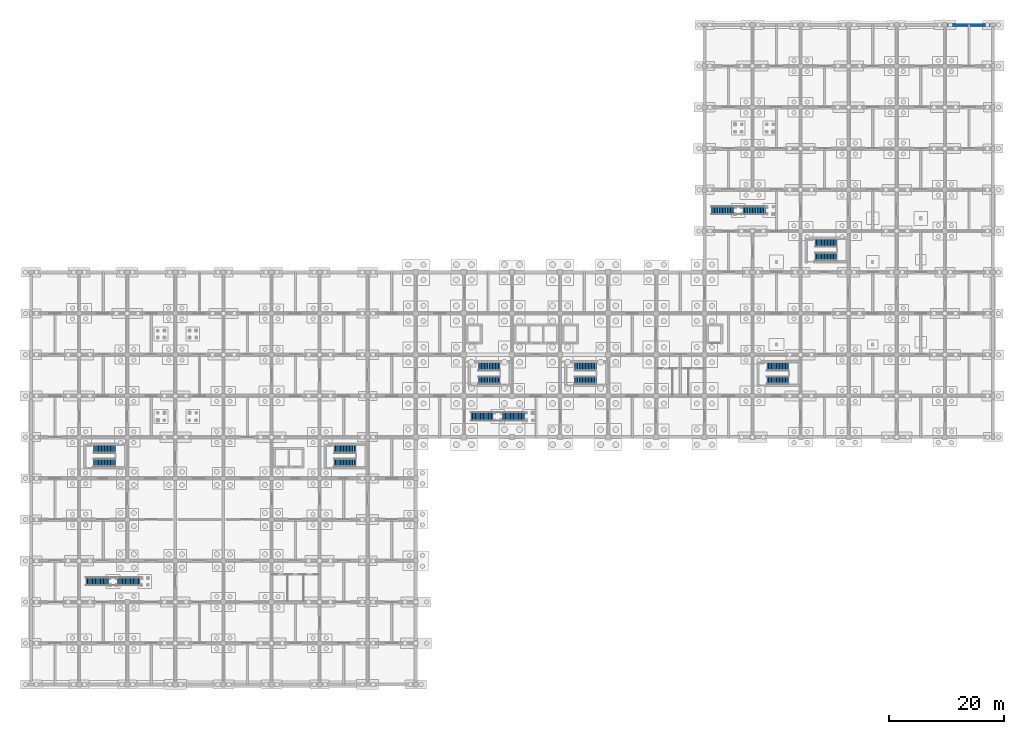
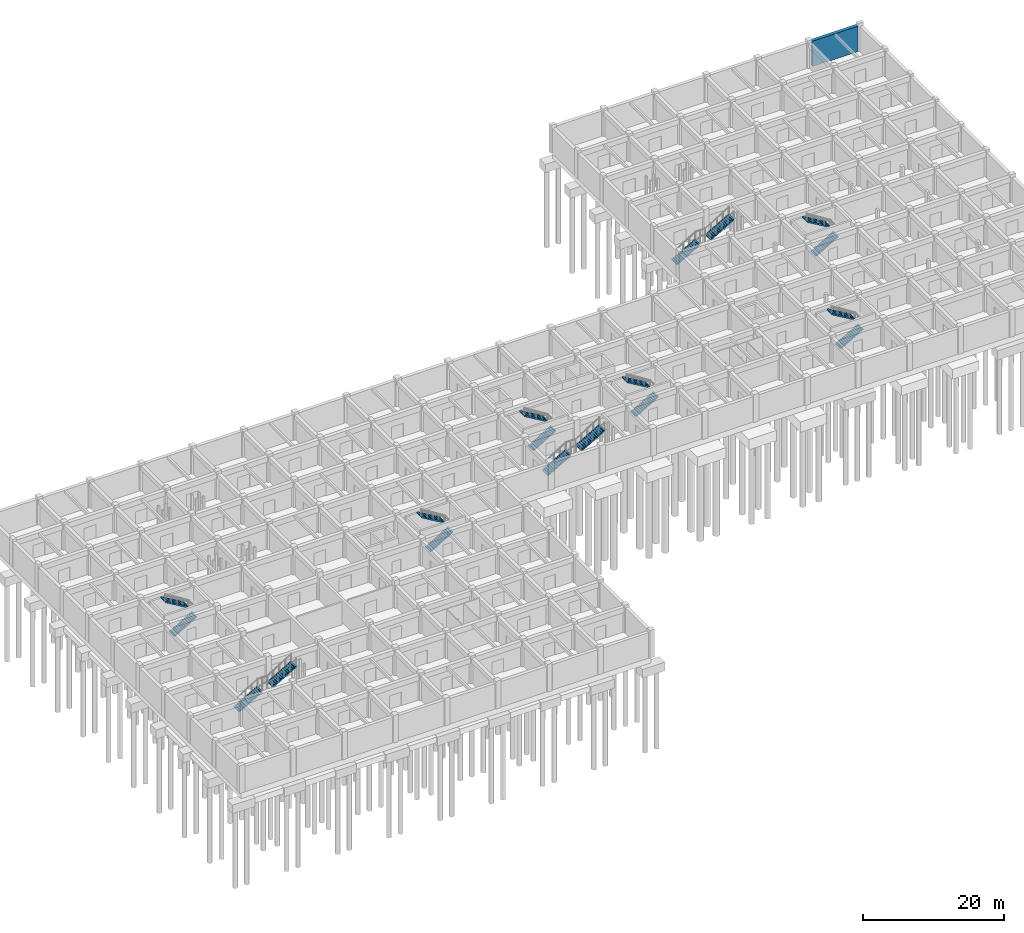
# One storey, part 36 of 38: 18 stair flights, 1 wall, 9 elements without a shape of their own.
"""IFC4 building model written with IfcOpenShell, lengths in metres."""

from ifc_helpers import new_model, si_unit, derived_unit, direction, frame, frame_2d, origin, place, context, subcontext, project, spatial, polyline, rectangle, outline, extrude, material, layer, layer_set, type_object, element, aggregate, save


model = new_model("IFC4")

# Units and contexts
model_context = context("Model", 3, precision=1e-05, world=origin(), true_north=direction((0.0, 1.0)))
body_context = subcontext(model_context, "Body", "Model", "MODEL_VIEW")
ifc_project = project(units=[si_unit("LENGTHUNIT", "METRE"), si_unit("AREAUNIT", "SQUARE_METRE"), si_unit("VOLUMEUNIT", "CUBIC_METRE"), si_unit("PLANEANGLEUNIT", "RADIAN"), si_unit("MASSUNIT", "GRAM", prefix="KILO"), derived_unit("THERMALTRANSMITTANCEUNIT", [(si_unit("MASSUNIT", "GRAM", prefix="KILO"), 1), (si_unit("TIMEUNIT", "SECOND"), -3), (si_unit("THERMODYNAMICTEMPERATUREUNIT", "KELVIN"), -1)])], contexts=[model_context])

# Site, building, storey
site_placement = place(None, origin())
site = spatial("IfcSite", under=ifc_project, at=site_placement, CompositionType="ELEMENT")
building_placement = place(site_placement, origin())
building = spatial("IfcBuilding", under=site, at=building_placement, Name="Veldstrom Oceanarium and Marine Research Institute", CompositionType="ELEMENT")
storey_placement = place(building_placement, frame((0.0, 0.0, -9.60009765625)))
storey = spatial("IfcBuildingStorey", under=building, at=storey_placement, Name="B02", CompositionType="ELEMENT", Elevation=-9.60009765625)

# Wall
ifc_material_1 = material(Name="Concrete C40/50", Category="concrete")
ifc_layer = layer(ifc_material_1, 0.550048828125)
ifc_layer_set = layer_set([ifc_layer], Name="STR-WAL-WR1")
wall_type = type_object("IfcWallType", Name="STR-WAL-WR1", PredefinedType="USERDEFINED", material=ifc_layer_set)
wall_placement = place(storey_placement, frame((160.10009765625, 115.199951171875, 0.0), z_axis=(0.0, 0.0, 1.0), x_axis=(1.0, 0.0, 0.0)))
element("IfcWall", 1, at=wall_placement, inside=storey, type_object=wall_type, Name="Basement Retaining Wall WR1-B02-071", ObjectType="Retaining wall", PredefinedType="USERDEFINED", context=body_context, shape_type="SweptSolid", body=[
    extrude(rectangle(XDim=7.39990234375, YDim=0.550048828125, at=frame_2d((3.699951171875, 0.0))), origin(), (0.0, 0.0, 1.0), 4.400146484375),
])

# Stair, stair flights
ifc_material_2 = material(Name="Concrete C40/50", Category="concrete")
stair_type_1 = type_object("IfcStairType", Name="ARC-STR-ST-480", PredefinedType="TWO_STRAIGHT_RUN_STAIR", material=ifc_material_2)
stair_1_placement = place(storey_placement, origin())
stair_1 = element("IfcStair", 2, at=stair_1_placement, inside=storey, type_object=stair_type_1, Name="Dog-Leg Escape Stair ST1-B02", PredefinedType="TWO_STRAIGHT_RUN_STAIR")
ifc_material_3 = material(Name="Concrete C40/50", Category="concrete")
stair_flight_type_1 = type_object("IfcStairFlightType", Name="ARC-STF-ST-480", PredefinedType="STRAIGHT", material=ifc_material_3)
stair_flight_1_placement = place(storey_placement, frame((78.139892578125, 53.10009765625, 0.0), z_axis=(0.0, 0.0, 1.0), x_axis=(1.0, 0.0, 0.0)))
stair_flight_1 = element("IfcStairFlight", 3, at=stair_flight_1_placement, type_object=stair_flight_type_1, Name="Stair Flight ST1-B02-1", NumberOfRisers=15, NumberOfTreads=14, PredefinedType="STRAIGHT", RiserHeight=0.16, TreadLength=0.27, context=body_context, shape_type="SweptSolid", body=[
    extrude(outline(polyline([(0.0, 0.0), (0.0, 0.159912109375), (0.27001953125, 0.159912109375), (0.27001953125, 0.320068359375), (0.5400390625, 0.320068359375), (0.5400390625, 0.47998046875), (0.81005859375, 0.47998046875), (0.81005859375, 0.639892578125), (1.080078125, 0.639892578125), (1.080078125, 0.800048828125), (1.35009765625, 0.800048828125), (1.35009765625, 0.9599609375), (1.6201171875, 0.9599609375), (1.6201171875, 1.1201171875), (1.889892578125, 1.1201171875), (1.889892578125, 1.280029296875), (2.159912109375, 1.280029296875), (2.159912109375, 1.43994140625), (2.429931640625, 1.43994140625), (2.429931640625, 1.60009765625), (2.699951171875, 1.60009765625), (2.699951171875, 1.760009765625), (2.969970703125, 1.760009765625), (2.969970703125, 1.919921875), (3.239990234375, 1.919921875), (3.239990234375, 2.080078125), (3.510009765625, 2.080078125), (3.510009765625, 2.239990234375), (3.780029296875, 2.239990234375), (3.780029296875, 2.39990234375), (3.780029296875, 2.03076171875), (0.35302734375, 0.0), (0.0, 0.0)])), frame((0.0, 0.699951171875, 0.0), z_axis=(0.0, -1.0, 0.0), x_axis=(1.0, 0.0, 0.0)), (0.0, 0.0, 1.0), 1.39990234375),
])
stair_flight_2_placement = place(storey_placement, frame((81.919921875, 55.5, 2.400146484375), z_axis=(0.0, 0.0, 1.0), x_axis=(-1.0, 0.0, 0.0)))
stair_flight_2 = element("IfcStairFlight", 4, at=stair_flight_2_placement, type_object=stair_flight_type_1, Name="Stair Flight ST1-B02-2", NumberOfRisers=15, NumberOfTreads=14, PredefinedType="STRAIGHT", RiserHeight=0.16, TreadLength=0.27, context=body_context, shape_type="SweptSolid", body=[
    extrude(outline(polyline([(0.0, 0.0), (0.0, 0.159912109375), (0.27001953125, 0.159912109375), (0.27001953125, 0.320068359375), (0.5400390625, 0.320068359375), (0.5400390625, 0.47998046875), (0.81005859375, 0.47998046875), (0.81005859375, 0.639892578125), (1.080078125, 0.639892578125), (1.080078125, 0.800048828125), (1.35009765625, 0.800048828125), (1.35009765625, 0.9599609375), (1.6201171875, 0.9599609375), (1.6201171875, 1.1201171875), (1.889892578125, 1.1201171875), (1.889892578125, 1.280029296875), (2.159912109375, 1.280029296875), (2.159912109375, 1.43994140625), (2.429931640625, 1.43994140625), (2.429931640625, 1.60009765625), (2.699951171875, 1.60009765625), (2.699951171875, 1.760009765625), (2.969970703125, 1.760009765625), (2.969970703125, 1.919921875), (3.239990234375, 1.919921875), (3.239990234375, 2.080078125), (3.510009765625, 2.080078125), (3.510009765625, 2.239990234375), (3.780029296875, 2.239990234375), (3.780029296875, 2.39990234375), (3.780029296875, 2.03076171875), (0.35302734375, 0.0), (0.0, 0.0)])), frame((0.0, 0.699951171875, 0.0), z_axis=(0.0, -1.0, 0.0), x_axis=(1.0, 0.0, 0.0)), (0.0, 0.0, 1.0), 1.39990234375),
])
aggregate(stair_1, [stair_flight_1, stair_flight_2])

stair_2_placement = place(storey_placement, origin())
stair_2 = element("IfcStair", 5, at=stair_2_placement, inside=storey, type_object=stair_type_1, Name="Dog-Leg Escape Stair ST2-B02", PredefinedType="TWO_STRAIGHT_RUN_STAIR")
stair_flight_3_placement = place(storey_placement, frame((94.93994140625, 53.10009765625, 0.0), z_axis=(0.0, 0.0, 1.0), x_axis=(1.0, 0.0, 0.0)))
stair_flight_3 = element("IfcStairFlight", 6, at=stair_flight_3_placement, type_object=stair_flight_type_1, Name="Stair Flight ST2-B02-1", NumberOfRisers=15, NumberOfTreads=14, PredefinedType="STRAIGHT", RiserHeight=0.16, TreadLength=0.27, context=body_context, shape_type="SweptSolid", body=[
    extrude(outline(polyline([(0.0, 0.0), (0.0, 0.159912109375), (0.27001953125, 0.159912109375), (0.27001953125, 0.320068359375), (0.5400390625, 0.320068359375), (0.5400390625, 0.47998046875), (0.81005859375, 0.47998046875), (0.81005859375, 0.639892578125), (1.080078125, 0.639892578125), (1.080078125, 0.800048828125), (1.35009765625, 0.800048828125), (1.35009765625, 0.9599609375), (1.6201171875, 0.9599609375), (1.6201171875, 1.1201171875), (1.889892578125, 1.1201171875), (1.889892578125, 1.280029296875), (2.159912109375, 1.280029296875), (2.159912109375, 1.43994140625), (2.429931640625, 1.43994140625), (2.429931640625, 1.60009765625), (2.699951171875, 1.60009765625), (2.699951171875, 1.760009765625), (2.969970703125, 1.760009765625), (2.969970703125, 1.919921875), (3.239990234375, 1.919921875), (3.239990234375, 2.080078125), (3.510009765625, 2.080078125), (3.510009765625, 2.239990234375), (3.780029296875, 2.239990234375), (3.780029296875, 2.39990234375), (3.780029296875, 2.03076171875), (0.35302734375, 0.0), (0.0, 0.0)])), frame((0.0, 0.699951171875, 0.0), z_axis=(0.0, -1.0, 0.0), x_axis=(1.0, 0.0, 0.0)), (0.0, 0.0, 1.0), 1.39990234375),
])
stair_flight_4_placement = place(storey_placement, frame((98.719970703125, 55.5, 2.400146484375), z_axis=(0.0, 0.0, 1.0), x_axis=(-1.0, 0.0, 0.0)))
stair_flight_4 = element("IfcStairFlight", 7, at=stair_flight_4_placement, type_object=stair_flight_type_1, Name="Stair Flight ST2-B02-2", NumberOfRisers=15, NumberOfTreads=14, PredefinedType="STRAIGHT", RiserHeight=0.16, TreadLength=0.27, context=body_context, shape_type="SweptSolid", body=[
    extrude(outline(polyline([(0.0, 0.0), (0.0, 0.159912109375), (0.27001953125, 0.159912109375), (0.27001953125, 0.320068359375), (0.5400390625, 0.320068359375), (0.5400390625, 0.47998046875), (0.81005859375, 0.47998046875), (0.81005859375, 0.639892578125), (1.080078125, 0.639892578125), (1.080078125, 0.800048828125), (1.35009765625, 0.800048828125), (1.35009765625, 0.9599609375), (1.6201171875, 0.9599609375), (1.6201171875, 1.1201171875), (1.889892578125, 1.1201171875), (1.889892578125, 1.280029296875), (2.159912109375, 1.280029296875), (2.159912109375, 1.43994140625), (2.429931640625, 1.43994140625), (2.429931640625, 1.60009765625), (2.699951171875, 1.60009765625), (2.699951171875, 1.760009765625), (2.969970703125, 1.760009765625), (2.969970703125, 1.919921875), (3.239990234375, 1.919921875), (3.239990234375, 2.080078125), (3.510009765625, 2.080078125), (3.510009765625, 2.239990234375), (3.780029296875, 2.239990234375), (3.780029296875, 2.39990234375), (3.780029296875, 2.03076171875), (0.35302734375, 0.0), (0.0, 0.0)])), frame((0.0, 0.699951171875, 0.0), z_axis=(0.0, -1.0, 0.0), x_axis=(1.0, 0.0, 0.0)), (0.0, 0.0, 1.0), 1.39990234375),
])
aggregate(stair_2, [stair_flight_3, stair_flight_4])

stair_3_placement = place(storey_placement, origin())
stair_3 = element("IfcStair", 8, at=stair_3_placement, inside=storey, type_object=stair_type_1, Name="Dog-Leg Escape Stair ST3-B02", PredefinedType="TWO_STRAIGHT_RUN_STAIR")
stair_flight_5_placement = place(storey_placement, frame((10.93994140625, 38.699951171875, 0.0), z_axis=(0.0, 0.0, 1.0), x_axis=(1.0, 0.0, 0.0)))
stair_flight_5 = element("IfcStairFlight", 9, at=stair_flight_5_placement, type_object=stair_flight_type_1, Name="Stair Flight ST3-B02-1", NumberOfRisers=15, NumberOfTreads=14, PredefinedType="STRAIGHT", RiserHeight=0.16, TreadLength=0.27, context=body_context, shape_type="SweptSolid", body=[
    extrude(outline(polyline([(0.0, 0.0), (0.0, 0.159912109375), (0.27001953125, 0.159912109375), (0.27001953125, 0.320068359375), (0.5400390625, 0.320068359375), (0.5400390625, 0.47998046875), (0.81005859375, 0.47998046875), (0.81005859375, 0.639892578125), (1.080078125, 0.639892578125), (1.080078125, 0.800048828125), (1.35009765625, 0.800048828125), (1.35009765625, 0.9599609375), (1.6201171875, 0.9599609375), (1.6201171875, 1.1201171875), (1.889892578125, 1.1201171875), (1.889892578125, 1.280029296875), (2.159912109375, 1.280029296875), (2.159912109375, 1.43994140625), (2.429931640625, 1.43994140625), (2.429931640625, 1.60009765625), (2.699951171875, 1.60009765625), (2.699951171875, 1.760009765625), (2.969970703125, 1.760009765625), (2.969970703125, 1.919921875), (3.239990234375, 1.919921875), (3.239990234375, 2.080078125), (3.510009765625, 2.080078125), (3.510009765625, 2.239990234375), (3.780029296875, 2.239990234375), (3.780029296875, 2.39990234375), (3.780029296875, 2.03076171875), (0.35302734375, 0.0), (0.0, 0.0)])), frame((0.0, 0.699951171875, 0.0), z_axis=(0.0, -1.0, 0.0), x_axis=(1.0, 0.0, 0.0)), (0.0, 0.0, 1.0), 1.39990234375),
])
stair_flight_6_placement = place(storey_placement, frame((14.719970703125, 41.10009765625, 2.400146484375), z_axis=(0.0, 0.0, 1.0), x_axis=(-1.0, 0.0, 0.0)))
stair_flight_6 = element("IfcStairFlight", 10, at=stair_flight_6_placement, type_object=stair_flight_type_1, Name="Stair Flight ST3-B02-2", NumberOfRisers=15, NumberOfTreads=14, PredefinedType="STRAIGHT", RiserHeight=0.16, TreadLength=0.27, context=body_context, shape_type="SweptSolid", body=[
    extrude(outline(polyline([(0.0, 0.0), (0.0, 0.159912109375), (0.27001953125, 0.159912109375), (0.27001953125, 0.320068359375), (0.5400390625, 0.320068359375), (0.5400390625, 0.47998046875), (0.81005859375, 0.47998046875), (0.81005859375, 0.639892578125), (1.080078125, 0.639892578125), (1.080078125, 0.800048828125), (1.35009765625, 0.800048828125), (1.35009765625, 0.9599609375), (1.6201171875, 0.9599609375), (1.6201171875, 1.1201171875), (1.889892578125, 1.1201171875), (1.889892578125, 1.280029296875), (2.159912109375, 1.280029296875), (2.159912109375, 1.43994140625), (2.429931640625, 1.43994140625), (2.429931640625, 1.60009765625), (2.699951171875, 1.60009765625), (2.699951171875, 1.760009765625), (2.969970703125, 1.760009765625), (2.969970703125, 1.919921875), (3.239990234375, 1.919921875), (3.239990234375, 2.080078125), (3.510009765625, 2.080078125), (3.510009765625, 2.239990234375), (3.780029296875, 2.239990234375), (3.780029296875, 2.39990234375), (3.780029296875, 2.03076171875), (0.35302734375, 0.0), (0.0, 0.0)])), frame((0.0, 0.699951171875, 0.0), z_axis=(0.0, -1.0, 0.0), x_axis=(1.0, 0.0, 0.0)), (0.0, 0.0, 1.0), 1.39990234375),
])
aggregate(stair_3, [stair_flight_5, stair_flight_6])

stair_4_placement = place(storey_placement, origin())
stair_4 = element("IfcStair", 11, at=stair_4_placement, inside=storey, type_object=stair_type_1, Name="Dog-Leg Escape Stair ST4-B02", PredefinedType="TWO_STRAIGHT_RUN_STAIR")
stair_flight_7_placement = place(storey_placement, frame((128.5400390625, 53.10009765625, 0.0), z_axis=(0.0, 0.0, 1.0), x_axis=(1.0, 0.0, 0.0)))
stair_flight_7 = element("IfcStairFlight", 12, at=stair_flight_7_placement, type_object=stair_flight_type_1, Name="Stair Flight ST4-B02-1", NumberOfRisers=15, NumberOfTreads=14, PredefinedType="STRAIGHT", RiserHeight=0.16, TreadLength=0.27, context=body_context, shape_type="SweptSolid", body=[
    extrude(outline(polyline([(0.0, 0.0), (0.0, 0.159912109375), (0.27001953125, 0.159912109375), (0.27001953125, 0.320068359375), (0.5400390625, 0.320068359375), (0.5400390625, 0.47998046875), (0.81005859375, 0.47998046875), (0.81005859375, 0.639892578125), (1.080078125, 0.639892578125), (1.080078125, 0.800048828125), (1.35009765625, 0.800048828125), (1.35009765625, 0.9599609375), (1.6201171875, 0.9599609375), (1.6201171875, 1.1201171875), (1.889892578125, 1.1201171875), (1.889892578125, 1.280029296875), (2.159912109375, 1.280029296875), (2.159912109375, 1.43994140625), (2.429931640625, 1.43994140625), (2.429931640625, 1.60009765625), (2.699951171875, 1.60009765625), (2.699951171875, 1.760009765625), (2.969970703125, 1.760009765625), (2.969970703125, 1.919921875), (3.239990234375, 1.919921875), (3.239990234375, 2.080078125), (3.510009765625, 2.080078125), (3.510009765625, 2.239990234375), (3.780029296875, 2.239990234375), (3.780029296875, 2.39990234375), (3.780029296875, 2.03076171875), (0.35302734375, 0.0), (0.0, 0.0)])), frame((0.0, 0.699951171875, 0.0), z_axis=(0.0, -1.0, 0.0), x_axis=(1.0, 0.0, 0.0)), (0.0, 0.0, 1.0), 1.39990234375),
])
stair_flight_8_placement = place(storey_placement, frame((132.320068359375, 55.5, 2.400146484375), z_axis=(0.0, 0.0, 1.0), x_axis=(-1.0, 0.0, 0.0)))
stair_flight_8 = element("IfcStairFlight", 13, at=stair_flight_8_placement, type_object=stair_flight_type_1, Name="Stair Flight ST4-B02-2", NumberOfRisers=15, NumberOfTreads=14, PredefinedType="STRAIGHT", RiserHeight=0.16, TreadLength=0.27, context=body_context, shape_type="SweptSolid", body=[
    extrude(outline(polyline([(0.0, 0.0), (0.0, 0.159912109375), (0.27001953125, 0.159912109375), (0.27001953125, 0.320068359375), (0.5400390625, 0.320068359375), (0.5400390625, 0.47998046875), (0.81005859375, 0.47998046875), (0.81005859375, 0.639892578125), (1.080078125, 0.639892578125), (1.080078125, 0.800048828125), (1.35009765625, 0.800048828125), (1.35009765625, 0.9599609375), (1.6201171875, 0.9599609375), (1.6201171875, 1.1201171875), (1.889892578125, 1.1201171875), (1.889892578125, 1.280029296875), (2.159912109375, 1.280029296875), (2.159912109375, 1.43994140625), (2.429931640625, 1.43994140625), (2.429931640625, 1.60009765625), (2.699951171875, 1.60009765625), (2.699951171875, 1.760009765625), (2.969970703125, 1.760009765625), (2.969970703125, 1.919921875), (3.239990234375, 1.919921875), (3.239990234375, 2.080078125), (3.510009765625, 2.080078125), (3.510009765625, 2.239990234375), (3.780029296875, 2.239990234375), (3.780029296875, 2.39990234375), (3.780029296875, 2.03076171875), (0.35302734375, 0.0), (0.0, 0.0)])), frame((0.0, 0.699951171875, 0.0), z_axis=(0.0, -1.0, 0.0), x_axis=(1.0, 0.0, 0.0)), (0.0, 0.0, 1.0), 1.39990234375),
])
aggregate(stair_4, [stair_flight_7, stair_flight_8])

stair_5_placement = place(storey_placement, origin())
stair_5 = element("IfcStair", 14, at=stair_5_placement, inside=storey, type_object=stair_type_1, Name="Dog-Leg Escape Stair ST6-B02", PredefinedType="TWO_STRAIGHT_RUN_STAIR")
stair_flight_9_placement = place(storey_placement, frame((52.93994140625, 38.699951171875, 0.0), z_axis=(0.0, 0.0, 1.0), x_axis=(1.0, 0.0, 0.0)))
stair_flight_9 = element("IfcStairFlight", 15, at=stair_flight_9_placement, type_object=stair_flight_type_1, Name="Stair Flight ST6-B02-1", NumberOfRisers=15, NumberOfTreads=14, PredefinedType="STRAIGHT", RiserHeight=0.16, TreadLength=0.27, context=body_context, shape_type="SweptSolid", body=[
    extrude(outline(polyline([(0.0, 0.0), (0.0, 0.159912109375), (0.27001953125, 0.159912109375), (0.27001953125, 0.320068359375), (0.5400390625, 0.320068359375), (0.5400390625, 0.47998046875), (0.81005859375, 0.47998046875), (0.81005859375, 0.639892578125), (1.080078125, 0.639892578125), (1.080078125, 0.800048828125), (1.35009765625, 0.800048828125), (1.35009765625, 0.9599609375), (1.6201171875, 0.9599609375), (1.6201171875, 1.1201171875), (1.889892578125, 1.1201171875), (1.889892578125, 1.280029296875), (2.159912109375, 1.280029296875), (2.159912109375, 1.43994140625), (2.429931640625, 1.43994140625), (2.429931640625, 1.60009765625), (2.699951171875, 1.60009765625), (2.699951171875, 1.760009765625), (2.969970703125, 1.760009765625), (2.969970703125, 1.919921875), (3.239990234375, 1.919921875), (3.239990234375, 2.080078125), (3.510009765625, 2.080078125), (3.510009765625, 2.239990234375), (3.780029296875, 2.239990234375), (3.780029296875, 2.39990234375), (3.780029296875, 2.03076171875), (0.35302734375, 0.0), (0.0, 0.0)])), frame((0.0, 0.699951171875, 0.0), z_axis=(0.0, -1.0, 0.0), x_axis=(1.0, 0.0, 0.0)), (0.0, 0.0, 1.0), 1.39990234375),
])
stair_flight_10_placement = place(storey_placement, frame((56.719970703125, 41.10009765625, 2.400146484375), z_axis=(0.0, 0.0, 1.0), x_axis=(-1.0, 0.0, 0.0)))
stair_flight_10 = element("IfcStairFlight", 16, at=stair_flight_10_placement, type_object=stair_flight_type_1, Name="Stair Flight ST6-B02-2", NumberOfRisers=15, NumberOfTreads=14, PredefinedType="STRAIGHT", RiserHeight=0.16, TreadLength=0.27, context=body_context, shape_type="SweptSolid", body=[
    extrude(outline(polyline([(0.0, 0.0), (0.0, 0.159912109375), (0.27001953125, 0.159912109375), (0.27001953125, 0.320068359375), (0.5400390625, 0.320068359375), (0.5400390625, 0.47998046875), (0.81005859375, 0.47998046875), (0.81005859375, 0.639892578125), (1.080078125, 0.639892578125), (1.080078125, 0.800048828125), (1.35009765625, 0.800048828125), (1.35009765625, 0.9599609375), (1.6201171875, 0.9599609375), (1.6201171875, 1.1201171875), (1.889892578125, 1.1201171875), (1.889892578125, 1.280029296875), (2.159912109375, 1.280029296875), (2.159912109375, 1.43994140625), (2.429931640625, 1.43994140625), (2.429931640625, 1.60009765625), (2.699951171875, 1.60009765625), (2.699951171875, 1.760009765625), (2.969970703125, 1.760009765625), (2.969970703125, 1.919921875), (3.239990234375, 1.919921875), (3.239990234375, 2.080078125), (3.510009765625, 2.080078125), (3.510009765625, 2.239990234375), (3.780029296875, 2.239990234375), (3.780029296875, 2.39990234375), (3.780029296875, 2.03076171875), (0.35302734375, 0.0), (0.0, 0.0)])), frame((0.0, 0.699951171875, 0.0), z_axis=(0.0, -1.0, 0.0), x_axis=(1.0, 0.0, 0.0)), (0.0, 0.0, 1.0), 1.39990234375),
])
aggregate(stair_5, [stair_flight_9, stair_flight_10])

stair_6_placement = place(storey_placement, origin())
stair_6 = element("IfcStair", 17, at=stair_6_placement, inside=storey, type_object=stair_type_1, Name="Dog-Leg Escape Stair ST7-B02", PredefinedType="TWO_STRAIGHT_RUN_STAIR")
stair_flight_11_placement = place(storey_placement, frame((136.93994140625, 74.699951171875, 0.0), z_axis=(0.0, 0.0, 1.0), x_axis=(1.0, 0.0, 0.0)))
stair_flight_11 = element("IfcStairFlight", 18, at=stair_flight_11_placement, type_object=stair_flight_type_1, Name="Stair Flight ST7-B02-1", NumberOfRisers=15, NumberOfTreads=14, PredefinedType="STRAIGHT", RiserHeight=0.16, TreadLength=0.27, context=body_context, shape_type="SweptSolid", body=[
    extrude(outline(polyline([(0.0, 0.0), (0.0, 0.159912109375), (0.27001953125, 0.159912109375), (0.27001953125, 0.320068359375), (0.5400390625, 0.320068359375), (0.5400390625, 0.47998046875), (0.81005859375, 0.47998046875), (0.81005859375, 0.639892578125), (1.080078125, 0.639892578125), (1.080078125, 0.800048828125), (1.35009765625, 0.800048828125), (1.35009765625, 0.9599609375), (1.6201171875, 0.9599609375), (1.6201171875, 1.1201171875), (1.889892578125, 1.1201171875), (1.889892578125, 1.280029296875), (2.159912109375, 1.280029296875), (2.159912109375, 1.43994140625), (2.429931640625, 1.43994140625), (2.429931640625, 1.60009765625), (2.699951171875, 1.60009765625), (2.699951171875, 1.760009765625), (2.969970703125, 1.760009765625), (2.969970703125, 1.919921875), (3.239990234375, 1.919921875), (3.239990234375, 2.080078125), (3.510009765625, 2.080078125), (3.510009765625, 2.239990234375), (3.780029296875, 2.239990234375), (3.780029296875, 2.39990234375), (3.780029296875, 2.03076171875), (0.35302734375, 0.0), (0.0, 0.0)])), frame((0.0, 0.699951171875, 0.0), z_axis=(0.0, -1.0, 0.0), x_axis=(1.0, 0.0, 0.0)), (0.0, 0.0, 1.0), 1.39990234375),
])
stair_flight_12_placement = place(storey_placement, frame((140.719970703125, 77.10009765625, 2.400146484375), z_axis=(0.0, 0.0, 1.0), x_axis=(-1.0, 0.0, 0.0)))
stair_flight_12 = element("IfcStairFlight", 19, at=stair_flight_12_placement, type_object=stair_flight_type_1, Name="Stair Flight ST7-B02-2", NumberOfRisers=15, NumberOfTreads=14, PredefinedType="STRAIGHT", RiserHeight=0.16, TreadLength=0.27, context=body_context, shape_type="SweptSolid", body=[
    extrude(outline(polyline([(0.0, 0.0), (0.0, 0.159912109375), (0.27001953125, 0.159912109375), (0.27001953125, 0.320068359375), (0.5400390625, 0.320068359375), (0.5400390625, 0.47998046875), (0.81005859375, 0.47998046875), (0.81005859375, 0.639892578125), (1.080078125, 0.639892578125), (1.080078125, 0.800048828125), (1.35009765625, 0.800048828125), (1.35009765625, 0.9599609375), (1.6201171875, 0.9599609375), (1.6201171875, 1.1201171875), (1.889892578125, 1.1201171875), (1.889892578125, 1.280029296875), (2.159912109375, 1.280029296875), (2.159912109375, 1.43994140625), (2.429931640625, 1.43994140625), (2.429931640625, 1.60009765625), (2.699951171875, 1.60009765625), (2.699951171875, 1.760009765625), (2.969970703125, 1.760009765625), (2.969970703125, 1.919921875), (3.239990234375, 1.919921875), (3.239990234375, 2.080078125), (3.510009765625, 2.080078125), (3.510009765625, 2.239990234375), (3.780029296875, 2.239990234375), (3.780029296875, 2.39990234375), (3.780029296875, 2.03076171875), (0.35302734375, 0.0), (0.0, 0.0)])), frame((0.0, 0.699951171875, 0.0), z_axis=(0.0, -1.0, 0.0), x_axis=(1.0, 0.0, 0.0)), (0.0, 0.0, 1.0), 1.39990234375),
])
aggregate(stair_6, [stair_flight_11, stair_flight_12])

ifc_material_4 = material(Name="Concrete C40/50", Category="concrete")
stair_type_2 = type_object("IfcStairType", Name="ARC-STR-ST-FC1", PredefinedType="STRAIGHT_RUN_STAIR", material=ifc_material_4)
stair_7_placement = place(storey_placement, origin())
stair_7 = element("IfcStair", 20, at=stair_7_placement, inside=storey, type_object=stair_type_2, Name="Gallery Concourse Straight Stair ST5-01", PredefinedType="STRAIGHT_RUN_STAIR")
ifc_material_5 = material(Name="Concrete C40/50", Category="concrete")
stair_flight_type_2 = type_object("IfcStairFlightType", Name="ARC-STF-ST-FC1", PredefinedType="STRAIGHT", material=ifc_material_5)
stair_flight_13_placement = place(storey_placement, frame((9.60009765625, 18.0, 0.0), z_axis=(0.0, 0.0, 1.0), x_axis=(1.0, 0.0, 0.0)))
stair_flight_13 = element("IfcStairFlight", 21, at=stair_flight_13_placement, type_object=stair_flight_type_2, Name="Gallery Straight Stair Flight ST5-01-1", NumberOfRisers=15, NumberOfTreads=14, PredefinedType="STRAIGHT", RiserHeight=0.16, TreadLength=0.28, context=body_context, shape_type="SweptSolid", body=[
    extrude(outline(polyline([(0.0, 0.0), (0.0, 0.159912109375), (0.280029296875, 0.159912109375), (0.280029296875, 0.320068359375), (0.56005859375, 0.320068359375), (0.56005859375, 0.47998046875), (0.840087890625, 0.47998046875), (0.840087890625, 0.639892578125), (1.1201171875, 0.639892578125), (1.1201171875, 0.800048828125), (1.39990234375, 0.800048828125), (1.39990234375, 0.9599609375), (1.679931640625, 0.9599609375), (1.679931640625, 1.1201171875), (1.9599609375, 1.1201171875), (1.9599609375, 1.280029296875), (2.239990234375, 1.280029296875), (2.239990234375, 1.43994140625), (2.52001953125, 1.43994140625), (2.52001953125, 1.60009765625), (2.800048828125, 1.60009765625), (2.800048828125, 1.760009765625), (3.080078125, 1.760009765625), (3.080078125, 1.919921875), (3.360107421875, 1.919921875), (3.360107421875, 2.080078125), (3.639892578125, 2.080078125), (3.639892578125, 2.239990234375), (3.919921875, 2.239990234375), (3.919921875, 2.39990234375), (3.919921875, 2.03271484375), (0.362548828125, 0.0), (0.0, 0.0)])), frame((0.0, 0.72509765625, 0.0), z_axis=(0.0, -1.0, 0.0), x_axis=(1.0, 0.0, 0.0)), (0.0, 0.0, 1.0), 1.449951171875),
])
stair_flight_14_placement = place(storey_placement, frame((15.1201171875, 18.0, 2.400146484375), z_axis=(0.0, 0.0, 1.0), x_axis=(1.0, 0.0, 0.0)))
stair_flight_14 = element("IfcStairFlight", 22, at=stair_flight_14_placement, type_object=stair_flight_type_2, Name="Gallery Straight Stair Flight ST5-01-2", NumberOfRisers=15, NumberOfTreads=14, PredefinedType="STRAIGHT", RiserHeight=0.16, TreadLength=0.28, context=body_context, shape_type="SweptSolid", body=[
    extrude(outline(polyline([(0.0, 0.0), (0.0, 0.159912109375), (0.280029296875, 0.159912109375), (0.280029296875, 0.320068359375), (0.56005859375, 0.320068359375), (0.56005859375, 0.47998046875), (0.840087890625, 0.47998046875), (0.840087890625, 0.639892578125), (1.1201171875, 0.639892578125), (1.1201171875, 0.800048828125), (1.39990234375, 0.800048828125), (1.39990234375, 0.9599609375), (1.679931640625, 0.9599609375), (1.679931640625, 1.1201171875), (1.9599609375, 1.1201171875), (1.9599609375, 1.280029296875), (2.239990234375, 1.280029296875), (2.239990234375, 1.43994140625), (2.52001953125, 1.43994140625), (2.52001953125, 1.60009765625), (2.800048828125, 1.60009765625), (2.800048828125, 1.760009765625), (3.080078125, 1.760009765625), (3.080078125, 1.919921875), (3.360107421875, 1.919921875), (3.360107421875, 2.080078125), (3.639892578125, 2.080078125), (3.639892578125, 2.239990234375), (3.919921875, 2.239990234375), (3.919921875, 2.39990234375), (3.919921875, 2.03271484375), (0.362548828125, 0.0), (0.0, 0.0)])), frame((0.0, 0.72509765625, 0.0), z_axis=(0.0, -1.0, 0.0), x_axis=(1.0, 0.0, 0.0)), (0.0, 0.0, 1.0), 1.449951171875),
])
aggregate(stair_7, [stair_flight_13, stair_flight_14])

stair_8_placement = place(storey_placement, origin())
stair_8 = element("IfcStair", 23, at=stair_8_placement, inside=storey, type_object=stair_type_2, Name="Gallery Concourse Straight Stair ST5-03", PredefinedType="STRAIGHT_RUN_STAIR")
stair_flight_15_placement = place(storey_placement, frame((118.800048828125, 82.800048828125, 0.0), z_axis=(0.0, 0.0, 1.0), x_axis=(1.0, 0.0, 0.0)))
stair_flight_15 = element("IfcStairFlight", 24, at=stair_flight_15_placement, type_object=stair_flight_type_2, Name="Gallery Straight Stair Flight ST5-03-1", NumberOfRisers=15, NumberOfTreads=14, PredefinedType="STRAIGHT", RiserHeight=0.16, TreadLength=0.28, context=body_context, shape_type="SweptSolid", body=[
    extrude(outline(polyline([(0.0, 0.0), (0.0, 0.159912109375), (0.280029296875, 0.159912109375), (0.280029296875, 0.320068359375), (0.56005859375, 0.320068359375), (0.56005859375, 0.47998046875), (0.840087890625, 0.47998046875), (0.840087890625, 0.639892578125), (1.1201171875, 0.639892578125), (1.1201171875, 0.800048828125), (1.39990234375, 0.800048828125), (1.39990234375, 0.9599609375), (1.679931640625, 0.9599609375), (1.679931640625, 1.1201171875), (1.9599609375, 1.1201171875), (1.9599609375, 1.280029296875), (2.239990234375, 1.280029296875), (2.239990234375, 1.43994140625), (2.52001953125, 1.43994140625), (2.52001953125, 1.60009765625), (2.800048828125, 1.60009765625), (2.800048828125, 1.760009765625), (3.080078125, 1.760009765625), (3.080078125, 1.919921875), (3.360107421875, 1.919921875), (3.360107421875, 2.080078125), (3.639892578125, 2.080078125), (3.639892578125, 2.239990234375), (3.919921875, 2.239990234375), (3.919921875, 2.39990234375), (3.919921875, 2.03271484375), (0.362548828125, 0.0), (0.0, 0.0)])), frame((0.0, 0.72509765625, 0.0), z_axis=(0.0, -1.0, 0.0), x_axis=(1.0, 0.0, 0.0)), (0.0, 0.0, 1.0), 1.449951171875),
])
stair_flight_16_placement = place(storey_placement, frame((124.320068359375, 82.800048828125, 2.400146484375), z_axis=(0.0, 0.0, 1.0), x_axis=(1.0, 0.0, 0.0)))
stair_flight_16 = element("IfcStairFlight", 25, at=stair_flight_16_placement, type_object=stair_flight_type_2, Name="Gallery Straight Stair Flight ST5-03-2", NumberOfRisers=15, NumberOfTreads=14, PredefinedType="STRAIGHT", RiserHeight=0.16, TreadLength=0.28, context=body_context, shape_type="SweptSolid", body=[
    extrude(outline(polyline([(0.0, 0.0), (0.0, 0.159912109375), (0.280029296875, 0.159912109375), (0.280029296875, 0.320068359375), (0.56005859375, 0.320068359375), (0.56005859375, 0.47998046875), (0.840087890625, 0.47998046875), (0.840087890625, 0.639892578125), (1.1201171875, 0.639892578125), (1.1201171875, 0.800048828125), (1.39990234375, 0.800048828125), (1.39990234375, 0.9599609375), (1.679931640625, 0.9599609375), (1.679931640625, 1.1201171875), (1.9599609375, 1.1201171875), (1.9599609375, 1.280029296875), (2.239990234375, 1.280029296875), (2.239990234375, 1.43994140625), (2.52001953125, 1.43994140625), (2.52001953125, 1.60009765625), (2.800048828125, 1.60009765625), (2.800048828125, 1.760009765625), (3.080078125, 1.760009765625), (3.080078125, 1.919921875), (3.360107421875, 1.919921875), (3.360107421875, 2.080078125), (3.639892578125, 2.080078125), (3.639892578125, 2.239990234375), (3.919921875, 2.239990234375), (3.919921875, 2.39990234375), (3.919921875, 2.03271484375), (0.362548828125, 0.0), (0.0, 0.0)])), frame((0.0, 0.72509765625, 0.0), z_axis=(0.0, -1.0, 0.0), x_axis=(1.0, 0.0, 0.0)), (0.0, 0.0, 1.0), 1.449951171875),
])
aggregate(stair_8, [stair_flight_15, stair_flight_16])

ifc_material_6 = material(Name="Concrete C40/50", Category="concrete")
stair_type_3 = type_object("IfcStairType", Name="ARC-STR-ST-FC2", PredefinedType="STRAIGHT_RUN_STAIR", material=ifc_material_6)
stair_9_placement = place(storey_placement, origin())
stair_9 = element("IfcStair", 26, at=stair_9_placement, inside=storey, type_object=stair_type_3, Name="Gallery Concourse Straight Stair ST5-02", PredefinedType="STRAIGHT_RUN_STAIR")
ifc_material_7 = material(Name="Concrete C40/50", Category="concrete")
stair_flight_type_3 = type_object("IfcStairFlightType", Name="ARC-STF-ST-FC2", PredefinedType="STRAIGHT", material=ifc_material_7)
stair_flight_17_placement = place(storey_placement, frame((76.800048828125, 46.800048828125, 0.0), z_axis=(0.0, 0.0, 1.0), x_axis=(1.0, 0.0, 0.0)))
stair_flight_17 = element("IfcStairFlight", 27, at=stair_flight_17_placement, type_object=stair_flight_type_3, Name="Gallery Straight Stair Flight ST5-02-1", NumberOfRisers=15, NumberOfTreads=14, PredefinedType="STRAIGHT", RiserHeight=0.16, TreadLength=0.28, context=body_context, shape_type="SweptSolid", body=[
    extrude(outline(polyline([(0.0, 0.0), (0.0, 0.159912109375), (0.280029296875, 0.159912109375), (0.280029296875, 0.320068359375), (0.56005859375, 0.320068359375), (0.56005859375, 0.47998046875), (0.840087890625, 0.47998046875), (0.840087890625, 0.639892578125), (1.1201171875, 0.639892578125), (1.1201171875, 0.800048828125), (1.39990234375, 0.800048828125), (1.39990234375, 0.9599609375), (1.679931640625, 0.9599609375), (1.679931640625, 1.1201171875), (1.9599609375, 1.1201171875), (1.9599609375, 1.280029296875), (2.239990234375, 1.280029296875), (2.239990234375, 1.43994140625), (2.52001953125, 1.43994140625), (2.52001953125, 1.60009765625), (2.800048828125, 1.60009765625), (2.800048828125, 1.760009765625), (3.080078125, 1.760009765625), (3.080078125, 1.919921875), (3.360107421875, 1.919921875), (3.360107421875, 2.080078125), (3.639892578125, 2.080078125), (3.639892578125, 2.239990234375), (3.919921875, 2.239990234375), (3.919921875, 2.39990234375), (3.919921875, 2.03271484375), (0.362548828125, 0.0), (0.0, 0.0)])), frame((0.0, 0.77490234375, 0.0), z_axis=(0.0, -1.0, 0.0), x_axis=(1.0, 0.0, 0.0)), (0.0, 0.0, 1.0), 1.550048828125),
])
stair_flight_18_placement = place(storey_placement, frame((82.320068359375, 46.800048828125, 2.400146484375), z_axis=(0.0, 0.0, 1.0), x_axis=(1.0, 0.0, 0.0)))
stair_flight_18 = element("IfcStairFlight", 28, at=stair_flight_18_placement, type_object=stair_flight_type_3, Name="Gallery Straight Stair Flight ST5-02-2", NumberOfRisers=15, NumberOfTreads=14, PredefinedType="STRAIGHT", RiserHeight=0.16, TreadLength=0.28, context=body_context, shape_type="SweptSolid", body=[
    extrude(outline(polyline([(0.0, 0.0), (0.0, 0.159912109375), (0.280029296875, 0.159912109375), (0.280029296875, 0.320068359375), (0.56005859375, 0.320068359375), (0.56005859375, 0.47998046875), (0.840087890625, 0.47998046875), (0.840087890625, 0.639892578125), (1.1201171875, 0.639892578125), (1.1201171875, 0.800048828125), (1.39990234375, 0.800048828125), (1.39990234375, 0.9599609375), (1.679931640625, 0.9599609375), (1.679931640625, 1.1201171875), (1.9599609375, 1.1201171875), (1.9599609375, 1.280029296875), (2.239990234375, 1.280029296875), (2.239990234375, 1.43994140625), (2.52001953125, 1.43994140625), (2.52001953125, 1.60009765625), (2.800048828125, 1.60009765625), (2.800048828125, 1.760009765625), (3.080078125, 1.760009765625), (3.080078125, 1.919921875), (3.360107421875, 1.919921875), (3.360107421875, 2.080078125), (3.639892578125, 2.080078125), (3.639892578125, 2.239990234375), (3.919921875, 2.239990234375), (3.919921875, 2.39990234375), (3.919921875, 2.03271484375), (0.362548828125, 0.0), (0.0, 0.0)])), frame((0.0, 0.77490234375, 0.0), z_axis=(0.0, -1.0, 0.0), x_axis=(1.0, 0.0, 0.0)), (0.0, 0.0, 1.0), 1.550048828125),
])
aggregate(stair_9, [stair_flight_17, stair_flight_18])

save(model, "model.ifc")
